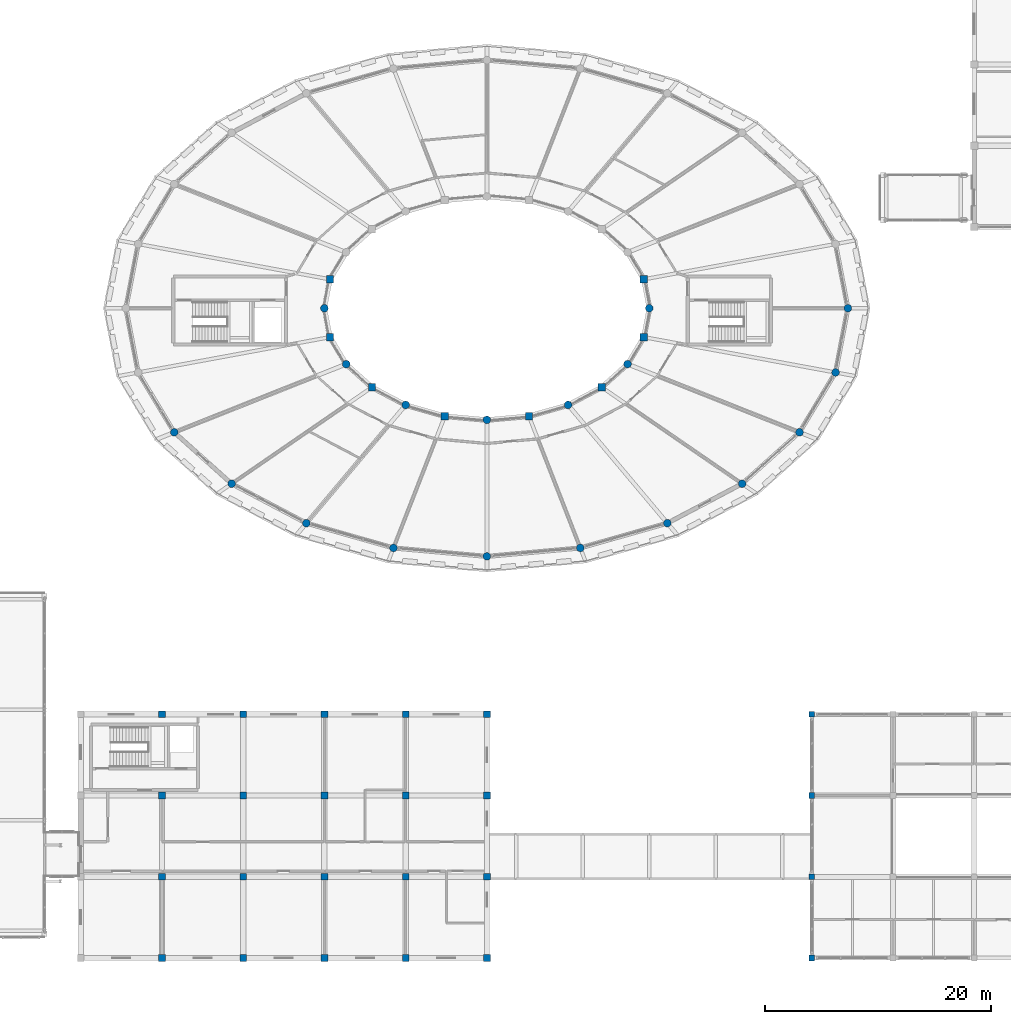
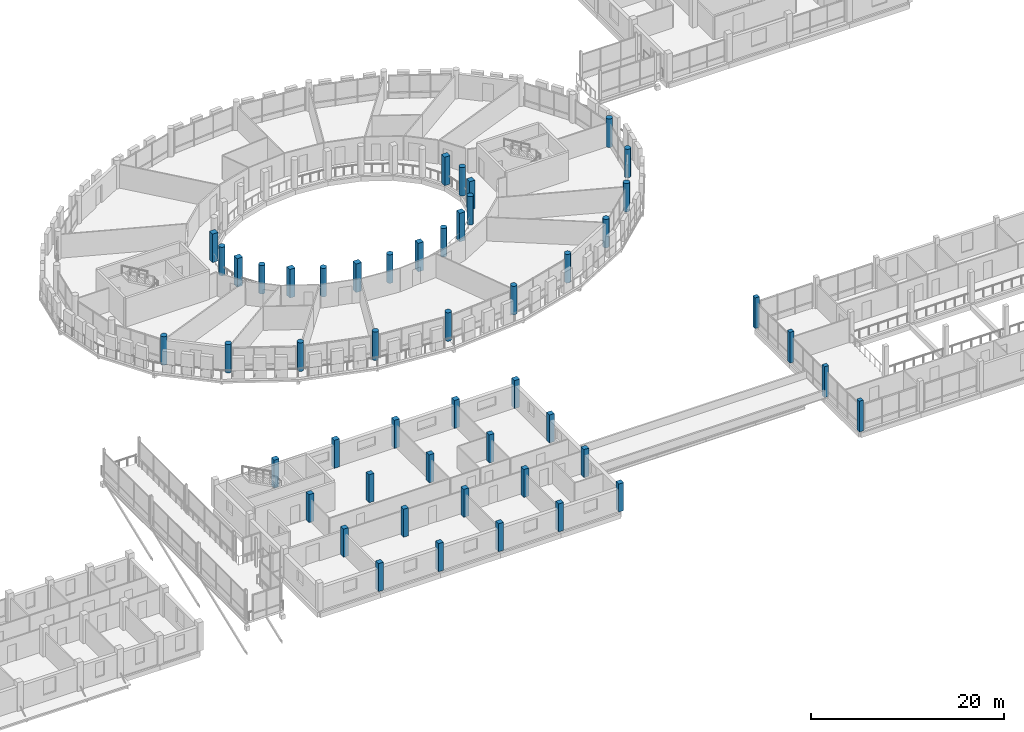
# One storey, part 5 of 128: 50 columns.
"""IFC4 building model written with IfcOpenShell, lengths in metres."""

from ifc_helpers import new_model, si_unit, direction, frame, origin, origin_2d, place, context, subcontext, project, spatial, rectangle, circle, extrude, material, material_profile, profile_set, type_object, element, save


model = new_model("IFC4")

# Units and contexts
model_context = context("Model", 3, precision=1e-05, world=origin(), true_north=direction((0.0, 1.0)))
body_context = subcontext(model_context, "Body", "Model", "MODEL_VIEW")
ifc_project = project(units=[si_unit("LENGTHUNIT", "METRE"), si_unit("AREAUNIT", "SQUARE_METRE"), si_unit("VOLUMEUNIT", "CUBIC_METRE"), si_unit("PLANEANGLEUNIT", "RADIAN"), si_unit("MASSUNIT", "GRAM", prefix="KILO")], contexts=[model_context])

# Site, building, storey
site_placement = place(None, origin())
site = spatial("IfcSite", under=ifc_project, at=site_placement, CompositionType="ELEMENT")
building_placement = place(site_placement, origin())
building = spatial("IfcBuilding", under=site, at=building_placement, Name="Zornivar Specialist Clinic", CompositionType="ELEMENT")
storey_placement = place(building_placement, frame((0.0, 0.0, 4.5)))
storey = spatial("IfcBuildingStorey", under=building, at=storey_placement, Name="L01", CompositionType="ELEMENT", Elevation=4.5)

# Columns
ifc_material_1 = material(Name="Concrete C35/45", Category="concrete")
ifc_material_profile_1 = material_profile(ifc_material_1, rectangle(XDim=0.5, YDim=0.5, at=origin_2d()), Name="RC 500x500")
ifc_profile_set_1 = profile_set([ifc_material_profile_1], Name="Concrete C35/45")
column_type_1 = type_object("IfcColumnType", Name="COL-RC-500", PredefinedType="COLUMN", material=ifc_profile_set_1)
for number, where, z_axis, x_axis, name in (
    (1, (122.39990234375, 0.0, 0.0), (0.0, 0.0, 1.0), (1.0, 0.0, 0.0), "col:V4:L01:1224_0"),
    (2, (122.39990234375, 7.199951171875, 0.0), (0.0, 0.0, 1.0), (1.0, 0.0, 0.0), "col:V4:L01:1224_72"),
    (3, (122.39990234375, 14.39990234375, 0.0), (0.0, 0.0, 1.0), (1.0, 0.0, 0.0), "col:V4:L01:1224_144"),
    (4, (122.39990234375, 21.60009765625, 0.0), (0.0, 0.0, 1.0), (1.0, 0.0, 0.0), "col:V4:L01:1224_216"),
):
    element("IfcColumn", number, at=place(storey_placement, frame(where, z_axis=z_axis, x_axis=x_axis)), inside=storey, type_object=column_type_1, Name=name, PredefinedType="COLUMN", context=body_context, shape_type="SweptSolid", body=[
        extrude(rectangle(XDim=0.5, YDim=0.5, at=origin_2d()), origin(), (0.0, 0.0, 1.0), 3.89990234375),
    ])
ifc_material_2 = material(Name="Concrete C35/45", Category="concrete")
ifc_material_profile_2 = material_profile(ifc_material_2, rectangle(XDim=0.60009765625, YDim=0.60009765625, at=origin_2d()), Name="RC 600x600")
ifc_profile_set_2 = profile_set([ifc_material_profile_2], Name="Concrete C35/45")
column_type_2 = type_object("IfcColumnType", Name="COL-RC-600", PredefinedType="COLUMN", material=ifc_profile_set_2)
for number, where, z_axis, x_axis, name in (
    (5, (64.800048828125, 0.0, 0.0), (0.0, 0.0, 1.0), (1.0, 0.0, 0.0), "col:V3:L01:648_0"),
    (6, (64.800048828125, 7.199951171875, 0.0), (0.0, 0.0, 1.0), (1.0, 0.0, 0.0), "col:V3:L01:648_72"),
    (7, (64.800048828125, 14.39990234375, 0.0), (0.0, 0.0, 1.0), (1.0, 0.0, 0.0), "col:V3:L01:648_144"),
    (8, (64.800048828125, 21.60009765625, 0.0), (0.0, 0.0, 1.0), (1.0, 0.0, 0.0), "col:V3:L01:648_216"),
    (9, (72.0, 0.0, 0.0), (0.0, 0.0, 1.0), (1.0, 0.0, 0.0), "col:V3:L01:720_0"),
    (10, (72.0, 7.199951171875, 0.0), (0.0, 0.0, 1.0), (1.0, 0.0, 0.0), "col:V3:L01:720_72"),
    (11, (72.0, 14.39990234375, 0.0), (0.0, 0.0, 1.0), (1.0, 0.0, 0.0), "col:V3:L01:720_144"),
    (12, (72.0, 21.60009765625, 0.0), (0.0, 0.0, 1.0), (1.0, 0.0, 0.0), "col:V3:L01:720_216"),
    (13, (79.199951171875, 0.0, 0.0), (0.0, 0.0, 1.0), (1.0, 0.0, 0.0), "col:V3:L01:792_0"),
    (14, (79.199951171875, 7.199951171875, 0.0), (0.0, 0.0, 1.0), (1.0, 0.0, 0.0), "col:V3:L01:792_72"),
    (15, (79.199951171875, 14.39990234375, 0.0), (0.0, 0.0, 1.0), (1.0, 0.0, 0.0), "col:V3:L01:792_144"),
    (16, (79.199951171875, 21.60009765625, 0.0), (0.0, 0.0, 1.0), (1.0, 0.0, 0.0), "col:V3:L01:792_216"),
    (17, (86.39990234375, 0.0, 0.0), (0.0, 0.0, 1.0), (1.0, 0.0, 0.0), "col:V3:L01:864_0"),
    (18, (86.39990234375, 7.199951171875, 0.0), (0.0, 0.0, 1.0), (1.0, 0.0, 0.0), "col:V3:L01:864_72"),
    (19, (86.39990234375, 14.39990234375, 0.0), (0.0, 0.0, 1.0), (1.0, 0.0, 0.0), "col:V3:L01:864_144"),
    (20, (86.39990234375, 21.60009765625, 0.0), (0.0, 0.0, 1.0), (1.0, 0.0, 0.0), "col:V3:L01:864_216"),
    (21, (93.60009765625, 0.0, 0.0), (0.0, 0.0, 1.0), (1.0, 0.0, 0.0), "col:V3:L01:936_0"),
    (22, (93.60009765625, 7.199951171875, 0.0), (0.0, 0.0, 1.0), (1.0, 0.0, 0.0), "col:V3:L01:936_72"),
    (23, (93.60009765625, 14.39990234375, 0.0), (0.0, 0.0, 1.0), (1.0, 0.0, 0.0), "col:V3:L01:936_144"),
    (24, (93.60009765625, 21.60009765625, 0.0), (0.0, 0.0, 1.0), (1.0, 0.0, 0.0), "col:V3:L01:936_216"),
):
    element("IfcColumn", number, at=place(storey_placement, frame(where, z_axis=z_axis, x_axis=x_axis)), inside=storey, type_object=column_type_2, Name=name, PredefinedType="COLUMN", context=body_context, shape_type="SweptSolid", body=[
        extrude(rectangle(XDim=0.60009765625, YDim=0.60009765625, at=origin_2d()), origin(), (0.0, 0.0, 1.0), 3.550048828125),
    ])
ifc_material_3 = material(Name="Concrete C35/45", Category="concrete")
ifc_material_profile_3 = material_profile(ifc_material_3, rectangle(XDim=0.64990234375, YDim=0.64990234375, at=origin_2d()), Name="RC 650x650")
ifc_profile_set_3 = profile_set([ifc_material_profile_3], Name="Concrete C35/45")
column_type_3 = type_object("IfcColumnType", Name="COL-RC-650", PredefinedType="COLUMN", material=ifc_profile_set_3)
for number, where, z_axis, x_axis, name in (
    (25, (107.509033203125, 60.162109375, 0.0), (0.0, 0.0, 1.0), (1.0, 0.0, 0.0), "col:V1:L01:in:01"),
    (26, (79.69091796875, 60.162109375, 0.0), (0.0, 0.0, 1.0), (1.0, 0.0, 0.0), "col:V1:L01:in:11"),
    (27, (79.69091796875, 55.0380859375, 0.0), (0.0, 0.0, 1.0), (1.0, 0.0, 0.0), "col:V1:L01:in:13"),
    (28, (83.41796875, 50.60009765625, 0.0), (0.0, 0.0, 1.0), (1.0, 0.0, 0.0), "col:V1:L01:in:15"),
    (29, (89.873046875, 48.037109375, 0.0), (0.0, 0.0, 1.0), (1.0, 0.0, 0.0), "col:V1:L01:in:17"),
    (30, (97.326904296875, 48.037109375, 0.0), (0.0, 0.0, 1.0), (1.0, 0.0, 0.0), "col:V1:L01:in:19"),
    (31, (103.781982421875, 50.60009765625, 0.0), (0.0, 0.0, 1.0), (1.0, 0.0, 0.0), "col:V1:L01:in:21"),
    (32, (107.509033203125, 55.0380859375, 0.0), (0.0, 0.0, 1.0), (1.0, 0.0, 0.0), "col:V1:L01:in:23"),
):
    element("IfcColumn", number, at=place(storey_placement, frame(where, z_axis=z_axis, x_axis=x_axis)), inside=storey, type_object=column_type_3, Name=name, PredefinedType="COLUMN", context=body_context, shape_type="SweptSolid", body=[
        extrude(rectangle(XDim=0.64990234375, YDim=0.64990234375, at=origin_2d()), origin(), (0.0, 0.0, 1.0), 3.610107421875),
    ])
ifc_material_4 = material(Name="Concrete C35/45", Category="concrete")
ifc_material_profile_4 = material_profile(ifc_material_4, circle(Radius=0.340087890625, at=origin_2d()), Name="RC D680")
ifc_profile_set_4 = profile_set([ifc_material_profile_4], Name="Concrete C35/45")
column_type_4 = type_object("IfcColumnType", Name="COL-RC-D680", PredefinedType="COLUMN", material=ifc_profile_set_4)
for number, where, z_axis, x_axis, name in (
    (33, (125.60009765625, 57.60009765625, 0.0), (0.0, 0.0, 1.0), (1.0, 0.0, 0.0), "col:V1:L01:out:00"),
    (34, (108.0, 57.60009765625, 0.0), (0.0, 0.0, 1.0), (1.0, 0.0, 0.0), "col:V1:L01:in:00"),
    (35, (79.199951171875, 57.60009765625, 0.0), (0.0, 0.0, 1.0), (1.0, 0.0, 0.0), "col:V1:L01:in:12"),
    (36, (65.886962890625, 46.60009765625, 0.0), (0.0, 0.0, 1.0), (1.0, 0.0, 0.0), "col:V1:L01:out:14"),
    (37, (81.12890625, 52.64990234375, 0.0), (0.0, 0.0, 1.0), (1.0, 0.0, 0.0), "col:V1:L01:in:14"),
    (38, (70.972900390625, 42.0439453125, 0.0), (0.0, 0.0, 1.0), (1.0, 0.0, 0.0), "col:V1:L01:out:15"),
    (39, (77.60009765625, 38.547119140625, 0.0), (0.0, 0.0, 1.0), (1.0, 0.0, 0.0), "col:V1:L01:out:16"),
    (40, (86.39990234375, 49.02587890625, 0.0), (0.0, 0.0, 1.0), (1.0, 0.0, 0.0), "col:V1:L01:in:16"),
    (41, (85.318115234375, 36.35009765625, 0.0), (0.0, 0.0, 1.0), (1.0, 0.0, 0.0), "col:V1:L01:out:17"),
    (42, (93.60009765625, 35.60009765625, 0.0), (0.0, 0.0, 1.0), (1.0, 0.0, 0.0), "col:V1:L01:out:18"),
    (43, (93.60009765625, 47.699951171875, 0.0), (0.0, 0.0, 1.0), (1.0, 0.0, 0.0), "col:V1:L01:in:18"),
    (44, (101.882080078125, 36.35009765625, 0.0), (0.0, 0.0, 1.0), (1.0, 0.0, 0.0), "col:V1:L01:out:19"),
    (45, (109.60009765625, 38.547119140625, 0.0), (0.0, 0.0, 1.0), (1.0, 0.0, 0.0), "col:V1:L01:out:20"),
    (46, (100.800048828125, 49.02587890625, 0.0), (0.0, 0.0, 1.0), (1.0, 0.0, 0.0), "col:V1:L01:in:20"),
    (47, (116.22705078125, 42.0439453125, 0.0), (0.0, 0.0, 1.0), (1.0, 0.0, 0.0), "col:V1:L01:out:21"),
    (48, (121.31298828125, 46.60009765625, 0.0), (0.0, 0.0, 1.0), (1.0, 0.0, 0.0), "col:V1:L01:out:22"),
    (49, (106.071044921875, 52.64990234375, 0.0), (0.0, 0.0, 1.0), (1.0, 0.0, 0.0), "col:V1:L01:in:22"),
    (50, (124.510009765625, 51.906005859375, 0.0), (0.0, 0.0, 1.0), (1.0, 0.0, 0.0), "col:V1:L01:out:23"),
):
    element("IfcColumn", number, at=place(storey_placement, frame(where, z_axis=z_axis, x_axis=x_axis)), inside=storey, type_object=column_type_4, Name=name, PredefinedType="COLUMN", context=body_context, shape_type="SweptSolid", body=[
        extrude(circle(Radius=0.340087890625, at=origin_2d()), origin(), (0.0, 0.0, 1.0), 3.610107421875),
    ])

save(model, "model.ifc")
